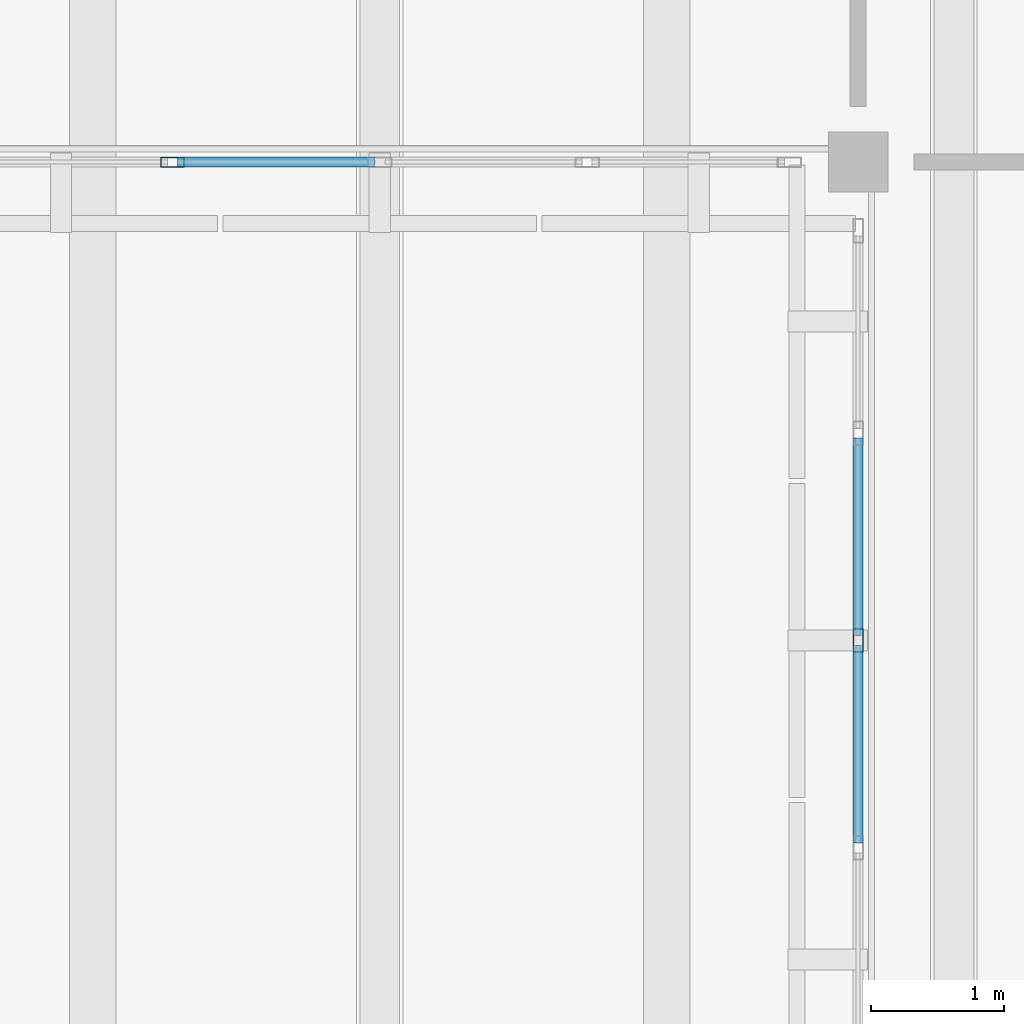
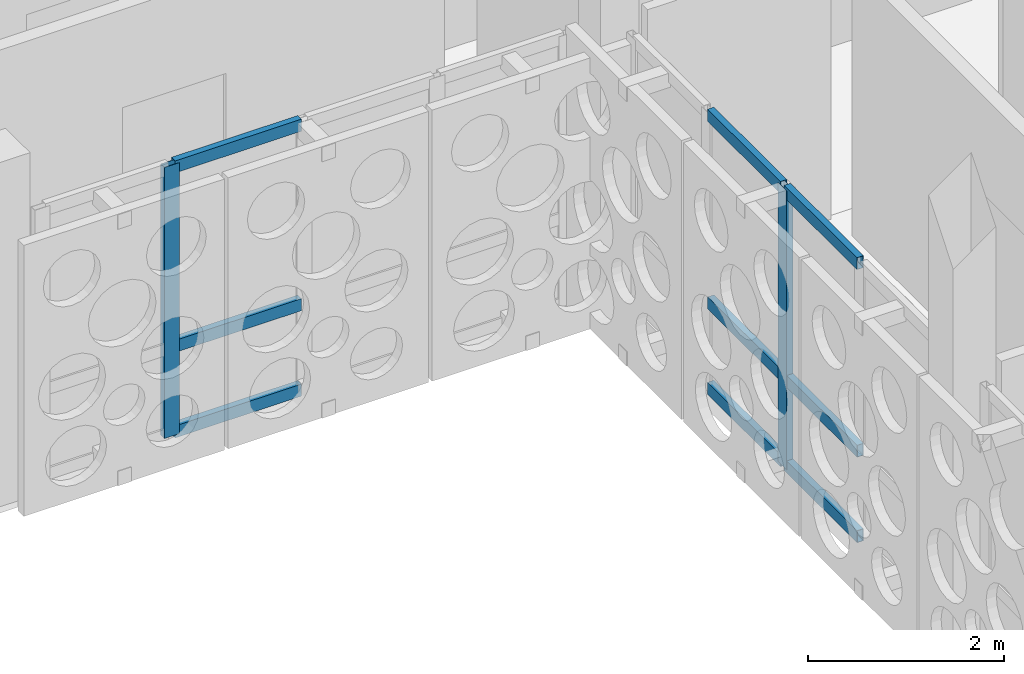
# One storey, part 47 of 171: 11 members, 2 elements without a shape of their own.
"""IFC4 building model written with IfcOpenShell, lengths in metres."""

import ifcopenshell
import ifcopenshell.guid

model = None  # the IFC model being written
_history = None  # IfcOwnerHistory: only IFC2X3 demands one
_inside = {}  # id of a spatial element -> (the spatial element, [elements in it])
_under = {}  # id of a project, library or spatial element -> (it, [spatial elements below it])
_declared = {}  # id of a project -> (the project, [libraries it declares])
_typed = {}  # id of a type object -> (the type object, [elements of that type])
_made_of = {}  # id of a material, layer set ... -> (it, [elements and type objects made of it])


def new_model(schema):
    """Start an empty IFC model of exactly this schema.

    Asked for "IFC4X3", IfcOpenShell would pick the latest addendum, in which some entities
    have other attributes; the version numbers below select the first issue.
    IFC2X3 requires an IfcOwnerHistory on every rooted entity: one is made here for all.
    """
    global model, _history
    if schema == "IFC4X3":
        model = ifcopenshell.file(schema_version=(4, 3, 0, 0))
    else:
        model = ifcopenshell.file(schema=schema)
    _inside.clear()
    _under.clear()
    _declared.clear()
    _typed.clear()
    _made_of.clear()
    _history = None
    if model.schema == "IFC2X3":
        org = make("IfcOrganization", Name="unknown")
        user = make(
            "IfcPersonAndOrganization",
            ThePerson=make("IfcPerson", FamilyName="unknown"),
            TheOrganization=org,
        )
        app = make(
            "IfcApplication",
            ApplicationDeveloper=org,
            Version="unknown",
            ApplicationFullName="unknown",
            ApplicationIdentifier="unknown",
        )
        _history = make(
            "IfcOwnerHistory",
            OwningUser=user,
            OwningApplication=app,
            ChangeAction="ADDED",
            CreationDate=0,
        )
    return model


def make(cls, **values):
    """One entity of the class cls with the attributes given. An attribute that is None is left unset."""
    return model.create_entity(
        cls, **{name: value for name, value in values.items() if value is not None}
    )


def rooted(cls, **values):
    """An entity with a GlobalId (a new one), such as an element, a storey or a relation."""
    return make(cls, GlobalId=ifcopenshell.guid.new(), OwnerHistory=_history, **values)


def si_unit(unit_type, name, prefix=None):
    """IfcSIUnit, for example si_unit("LENGTHUNIT", "METRE", prefix="MILLI")."""
    return make("IfcSIUnit", UnitType=unit_type, Prefix=prefix, Name=name)


def assignment(units):
    """IfcUnitAssignment: the units of a project."""
    return None if units is None else make("IfcUnitAssignment", Units=units)


def point(xyz):
    """IfcCartesianPoint."""
    return None if xyz is None else make("IfcCartesianPoint", Coordinates=xyz)


def direction(xyz):
    """IfcDirection."""
    return None if xyz is None else make("IfcDirection", DirectionRatios=xyz)


def frame(location, z_axis=None, x_axis=None):
    """IfcAxis2Placement3D, a coordinate frame: its origin and axes. An axis left out is left unset."""
    return make(
        "IfcAxis2Placement3D",
        Location=point(location),
        Axis=direction(z_axis),
        RefDirection=direction(x_axis),
    )


def frame_2d(location, x_axis=None):
    """IfcAxis2Placement2D, a coordinate frame in the plane: its origin and x axis."""
    return make(
        "IfcAxis2Placement2D", Location=point(location), RefDirection=direction(x_axis)
    )


def origin():
    """The frame at (0, 0, 0) with its axes left unset."""
    return frame((0.0, 0.0, 0.0))


def origin_2d():
    """The frame at (0, 0) in the plane with its x axis left unset."""
    return frame_2d((0.0, 0.0))


def place(relative_to, where):
    """IfcLocalPlacement: puts the frame where relative to a parent placement (None: the world)."""
    return make(
        "IfcLocalPlacement", PlacementRelTo=relative_to, RelativePlacement=where
    )


def context(
    kind, dimensions, precision=None, world=None, true_north=None, identifier=None
):
    """IfcGeometricRepresentationContext, for example the 3D "Model" context."""
    return make(
        "IfcGeometricRepresentationContext",
        ContextIdentifier=identifier,
        ContextType=kind,
        CoordinateSpaceDimension=dimensions,
        Precision=precision,
        WorldCoordinateSystem=world,
        TrueNorth=true_north,
    )


def subcontext(parent, identifier, kind, view, scale=None):
    """IfcGeometricRepresentationSubContext, for example "Body" below "Model"."""
    return make(
        "IfcGeometricRepresentationSubContext",
        ContextIdentifier=identifier,
        ContextType=kind,
        ParentContext=parent,
        TargetScale=scale,
        TargetView=view,
    )


def project(units=None, contexts=None):
    """IfcProject with its units and contexts."""
    return rooted(
        "IfcProject",
        Name="project",
        RepresentationContexts=contexts,
        UnitsInContext=assignment(units),
    )


def spatial(cls, under=None, at=None, **own):
    """A site, building, storey or space (cls), placed at a placement, below another one or the project."""
    s = rooted(cls, ObjectPlacement=at, **own)
    if under is not None:
        _under.setdefault(under.id(), (under, []))[1].append(s)
    return s


def profile(cls, at=None, kind="AREA", **sizes):
    """A parametric profile (cls). Its sizes go by their IFC names, for example OverallWidth=200.0."""
    return make(cls, ProfileType=kind, Position=at, **sizes)


def hollow_rectangle(**sizes):
    """IfcRectangleHollowProfileDef."""
    return profile("IfcRectangleHollowProfileDef", **sizes)


def extrude(swept, where, along, depth):
    """IfcExtrudedAreaSolid: the profile swept, set in the frame where, extruded along a direction by depth."""
    return make(
        "IfcExtrudedAreaSolid",
        SweptArea=swept,
        Position=where,
        ExtrudedDirection=direction(along),
        Depth=depth,
    )


def shape(context_of_items, identifier, shape_type, items):
    """IfcShapeRepresentation: the items that make up one representation, for example the "Body"."""
    return make(
        "IfcShapeRepresentation",
        ContextOfItems=context_of_items,
        RepresentationIdentifier=identifier,
        RepresentationType=shape_type,
        Items=items,
    )


def material(Name=None, Category=None):
    """IfcMaterial."""
    return make("IfcMaterial", Name=Name, Category=Category)


def material_profile(
    of_material, cross_section, Name=None, Category=None, Priority=None
):
    """IfcMaterialProfile: a cross section and its material."""
    return make(
        "IfcMaterialProfile",
        Name=Name,
        Material=of_material,
        Profile=cross_section,
        Priority=Priority,
        Category=Category,
    )


def profile_set(profiles, Name=None, composite=None):
    """IfcMaterialProfileSet."""
    return make(
        "IfcMaterialProfileSet",
        Name=Name,
        MaterialProfiles=profiles,
        CompositeProfile=composite,
    )


def made_of(thing, what):
    """Note that an element or type object is made of a material, layer set ...; save() writes the relation."""
    if what is not None:
        _made_of.setdefault(what.id(), (what, []))[1].append(thing)
    return thing


def type_object(cls, material=None, **own):
    """A type object (cls), such as IfcWallType, which elements share."""
    return made_of(rooted(cls, **own), material)


def element(
    cls,
    number,
    at=None,
    inside=None,
    cuts=None,
    type_object=None,
    material=None,
    context=None,
    identifier="Body",
    shape_type=None,
    held_by="IfcProductDefinitionShape",
    body=None,
    shapes=None,
    **own,
):
    """One element of the class cls, such as IfcWall. Its Tag is "e" and its number.

    at: its placement. inside: the storey or other place that contains it. cuts: it is an
    opening in that element (IfcRelVoidsElement). A single representation is given by context,
    identifier, shape_type and body (its items); several are given by shapes. held_by: the class
    of the entity that holds the representations. save() writes the other relations.
    """
    e = rooted(cls, Tag="e%d" % number, ObjectPlacement=at, **own)
    if body is not None:
        shapes = [shape(context, identifier, shape_type, body)]
    if shapes is not None:
        e.Representation = make(held_by, Representations=shapes)
    if inside is not None:
        _inside.setdefault(inside.id(), (inside, []))[1].append(e)
    if cuts is not None:
        rooted(
            "IfcRelVoidsElement", RelatingBuildingElement=cuts, RelatedOpeningElement=e
        )
    if type_object is not None:
        _typed.setdefault(type_object.id(), (type_object, []))[1].append(e)
    return made_of(e, material)


def aggregate(whole, parts):
    """IfcRelAggregates: a whole, such as a stair, and the parts it consists of."""
    return rooted("IfcRelAggregates", RelatingObject=whole, RelatedObjects=parts)


def save(model, path):
    """Write the relations noted so far, then the file.

    IfcRelAggregates (storeys below a building ...), IfcRelContainedInSpatialStructure (elements
    in a storey), IfcRelDefinesByType, IfcRelAssociatesMaterial and IfcRelDeclares: one each for
    every whole, place, type object, material and project.
    """
    for whole, parts in _under.values():
        aggregate(whole, parts)
    for where, things in _inside.values():
        rooted(
            "IfcRelContainedInSpatialStructure",
            RelatedElements=things,
            RelatingStructure=where,
        )
    for kind, things in _typed.values():
        rooted("IfcRelDefinesByType", RelatedObjects=things, RelatingType=kind)
    for what, things in _made_of.values():
        rooted("IfcRelAssociatesMaterial", RelatedObjects=things, RelatingMaterial=what)
    for by, libraries in _declared.values():
        rooted("IfcRelDeclares", RelatingContext=by, RelatedDefinitions=libraries)
    model.write(path)


model = new_model("IFC4")

# Units and contexts
model_context = context("Model", 3, precision=1e-05, world=origin(), true_north=direction((0.0, 1.0)))
body_context = subcontext(model_context, "Body", "Model", "MODEL_VIEW")
ifc_project = project(units=[si_unit("LENGTHUNIT", "METRE"), si_unit("AREAUNIT", "SQUARE_METRE"), si_unit("VOLUMEUNIT", "CUBIC_METRE"), si_unit("PLANEANGLEUNIT", "RADIAN"), si_unit("MASSUNIT", "GRAM", prefix="KILO")], contexts=[model_context])

# Site, building, storey
site_placement = place(None, origin())
site = spatial("IfcSite", under=ifc_project, at=site_placement, CompositionType="ELEMENT")
building_placement = place(site_placement, origin())
building = spatial("IfcBuilding", under=site, at=building_placement, Name="Aldebral Square Health Centre", CompositionType="ELEMENT")
storey_placement = place(building_placement, frame((0.0, 0.0, 4.5)))
storey = spatial("IfcBuildingStorey", under=building, at=storey_placement, Name="L01", CompositionType="ELEMENT", Elevation=4.5)

# Curtain wall, member
ifc_material_1 = material(Name="Aluminium and low-E solar glass", Category="aluminium")
curtain_wall_type = type_object("IfcCurtainWallType", Name="CW-HALL-SYS", PredefinedType="USERDEFINED", material=ifc_material_1)
curtain_wall_1_placement = place(storey_placement, origin())
curtain_wall_1 = element("IfcCurtainWall", 1, at=curtain_wall_1_placement, inside=storey, type_object=curtain_wall_type, Name="L01 V1 hall curtain wall L01-V1-13-13-S", ObjectType="HALL_CURTAIN_WALL", PredefinedType="USERDEFINED")
ifc_material_2 = material(Name="Anodised aluminium mullion", Category="aluminium")
ifc_material_profile_1 = material_profile(ifc_material_2, hollow_rectangle(XDim=0.074951171875, YDim=0.179931640625, WallThickness=0.00390625, at=origin_2d()), Name="CWM 75x180x4")
ifc_profile_set_1 = profile_set([ifc_material_profile_1], Name="Anodised aluminium mullion")
member_type_1 = type_object("IfcMemberType", Name="CWM-STD", PredefinedType="MULLION", material=ifc_profile_set_1)
member_1_placement = place(storey_placement, frame((95.639892578125, 93.60009765625, 0.0), z_axis=(0.0, 0.0, 1.0), x_axis=(0.0, 1.0, 0.0)))
member_1 = element("IfcMember", 2, at=member_1_placement, type_object=member_type_1, Name="CW2 mullion 2", PredefinedType="MULLION", context=body_context, shape_type="SweptSolid", body=[
    extrude(hollow_rectangle(XDim=0.074951171875, YDim=0.179931640625, WallThickness=0.00390625, at=origin_2d()), origin(), (0.0, 0.0, 1.0), 3.3701171875),
])

curtain_wall_2_placement = place(storey_placement, origin())
curtain_wall_2 = element("IfcCurtainWall", 3, at=curtain_wall_2_placement, inside=storey, type_object=curtain_wall_type, Name="L01 V1 hall curtain wall L01-V1-14-12-W", ObjectType="HALL_CURTAIN_WALL", PredefinedType="USERDEFINED")
member_2_placement = place(storey_placement, frame((100.800048828125, 90.0, 0.0), z_axis=(0.0, 0.0, 1.0), x_axis=(1.0, 0.0, 0.0)))
member_2 = element("IfcMember", 4, at=member_2_placement, type_object=member_type_1, Name="CW2 mullion 3", PredefinedType="MULLION", context=body_context, shape_type="SweptSolid", body=[
    extrude(hollow_rectangle(XDim=0.074951171875, YDim=0.179931640625, WallThickness=0.00390625, at=origin_2d()), origin(), (0.0, 0.0, 1.0), 3.469970703125),
])

# Member
ifc_material_3 = material(Name="Anodised aluminium transom", Category="aluminium")
ifc_material_profile_2 = material_profile(ifc_material_3, hollow_rectangle(XDim=0.074951171875, YDim=0.14990234375, WallThickness=0.00390625, at=origin_2d()), Name="CWT 75x150x4")
ifc_profile_set_2 = profile_set([ifc_material_profile_2], Name="Anodised aluminium transom")
member_type_2 = type_object("IfcMemberType", Name="CWT-STD", PredefinedType="USERDEFINED", material=ifc_profile_set_2)
member_3_placement = place(storey_placement, frame((95.677490234375, 93.60009765625, 0.03759765625), z_axis=(1.0, 0.0, 0.0), x_axis=(0.0, 1.0, 0.0)))
member_3 = element("IfcMember", 5, at=member_3_placement, type_object=member_type_2, Name="CW2 transom 2.1", ObjectType="TRANSOM", PredefinedType="USERDEFINED", context=body_context, shape_type="SweptSolid", body=[
    extrude(hollow_rectangle(XDim=0.074951171875, YDim=0.14990234375, WallThickness=0.00390625, at=origin_2d()), origin(), (0.0, 0.0, 1.0), 1.485107421875),
])

member_4_placement = place(storey_placement, frame((95.677490234375, 93.60009765625, 1.10009765625), z_axis=(1.0, 0.0, 0.0), x_axis=(0.0, 1.0, 0.0)))
member_4 = element("IfcMember", 6, at=member_4_placement, type_object=member_type_2, Name="CW2 transom 2.2", ObjectType="TRANSOM", PredefinedType="USERDEFINED", context=body_context, shape_type="SweptSolid", body=[
    extrude(hollow_rectangle(XDim=0.074951171875, YDim=0.14990234375, WallThickness=0.00390625, at=origin_2d()), origin(), (0.0, 0.0, 1.0), 1.485107421875),
])

member_5_placement = place(storey_placement, frame((95.677490234375, 93.60009765625, 3.33251953125), z_axis=(1.0, 0.0, 0.0), x_axis=(0.0, 1.0, 0.0)))
member_5 = element("IfcMember", 7, at=member_5_placement, type_object=member_type_2, Name="CW2 transom 2.3", ObjectType="TRANSOM", PredefinedType="USERDEFINED", context=body_context, shape_type="SweptSolid", body=[
    extrude(hollow_rectangle(XDim=0.074951171875, YDim=0.14990234375, WallThickness=0.00390625, at=origin_2d()), origin(), (0.0, 0.0, 1.0), 1.485107421875),
])

aggregate(curtain_wall_1, [member_1, member_3, member_4, member_5])

member_6_placement = place(storey_placement, frame((100.800048828125, 91.5224609375, 0.03759765625), z_axis=(0.0, -1.0, 0.0), x_axis=(1.0, 0.0, 0.0)))
member_6 = element("IfcMember", 8, at=member_6_placement, type_object=member_type_2, Name="CW2 transom 2.1", ObjectType="TRANSOM", PredefinedType="USERDEFINED", context=body_context, shape_type="SweptSolid", body=[
    extrude(hollow_rectangle(XDim=0.074951171875, YDim=0.14990234375, WallThickness=0.00390625, at=origin_2d()), origin(), (0.0, 0.0, 1.0), 1.48486328125),
])

member_7_placement = place(storey_placement, frame((100.800048828125, 91.5224609375, 1.10009765625), z_axis=(0.0, -1.0, 0.0), x_axis=(1.0, 0.0, 0.0)))
member_7 = element("IfcMember", 9, at=member_7_placement, type_object=member_type_2, Name="CW2 transom 2.2", ObjectType="TRANSOM", PredefinedType="USERDEFINED", context=body_context, shape_type="SweptSolid", body=[
    extrude(hollow_rectangle(XDim=0.074951171875, YDim=0.14990234375, WallThickness=0.00390625, at=origin_2d()), origin(), (0.0, 0.0, 1.0), 1.48486328125),
])

member_8_placement = place(storey_placement, frame((100.800048828125, 91.5224609375, 3.4326171875), z_axis=(0.0, -1.0, 0.0), x_axis=(1.0, 0.0, 0.0)))
member_8 = element("IfcMember", 10, at=member_8_placement, type_object=member_type_2, Name="CW2 transom 2.3", ObjectType="TRANSOM", PredefinedType="USERDEFINED", context=body_context, shape_type="SweptSolid", body=[
    extrude(hollow_rectangle(XDim=0.074951171875, YDim=0.14990234375, WallThickness=0.00390625, at=origin_2d()), origin(), (0.0, 0.0, 1.0), 1.48486328125),
])

member_9_placement = place(storey_placement, frame((100.800048828125, 89.96240234375, 0.03759765625), z_axis=(0.0, -1.0, 0.0), x_axis=(1.0, 0.0, 0.0)))
member_9 = element("IfcMember", 11, at=member_9_placement, type_object=member_type_2, Name="CW2 transom 3.1", ObjectType="TRANSOM", PredefinedType="USERDEFINED", context=body_context, shape_type="SweptSolid", body=[
    extrude(hollow_rectangle(XDim=0.074951171875, YDim=0.14990234375, WallThickness=0.00390625, at=origin_2d()), origin(), (0.0, 0.0, 1.0), 1.48486328125),
])

member_10_placement = place(storey_placement, frame((100.800048828125, 89.96240234375, 1.10009765625), z_axis=(0.0, -1.0, 0.0), x_axis=(1.0, 0.0, 0.0)))
member_10 = element("IfcMember", 12, at=member_10_placement, type_object=member_type_2, Name="CW2 transom 3.2", ObjectType="TRANSOM", PredefinedType="USERDEFINED", context=body_context, shape_type="SweptSolid", body=[
    extrude(hollow_rectangle(XDim=0.074951171875, YDim=0.14990234375, WallThickness=0.00390625, at=origin_2d()), origin(), (0.0, 0.0, 1.0), 1.48486328125),
])

member_11_placement = place(storey_placement, frame((100.800048828125, 89.96240234375, 3.4326171875), z_axis=(0.0, -1.0, 0.0), x_axis=(1.0, 0.0, 0.0)))
member_11 = element("IfcMember", 13, at=member_11_placement, type_object=member_type_2, Name="CW2 transom 3.3", ObjectType="TRANSOM", PredefinedType="USERDEFINED", context=body_context, shape_type="SweptSolid", body=[
    extrude(hollow_rectangle(XDim=0.074951171875, YDim=0.14990234375, WallThickness=0.00390625, at=origin_2d()), origin(), (0.0, 0.0, 1.0), 1.48486328125),
])

aggregate(curtain_wall_2, [member_2, member_6, member_7, member_8, member_9, member_10, member_11])

save(model, "model.ifc")
